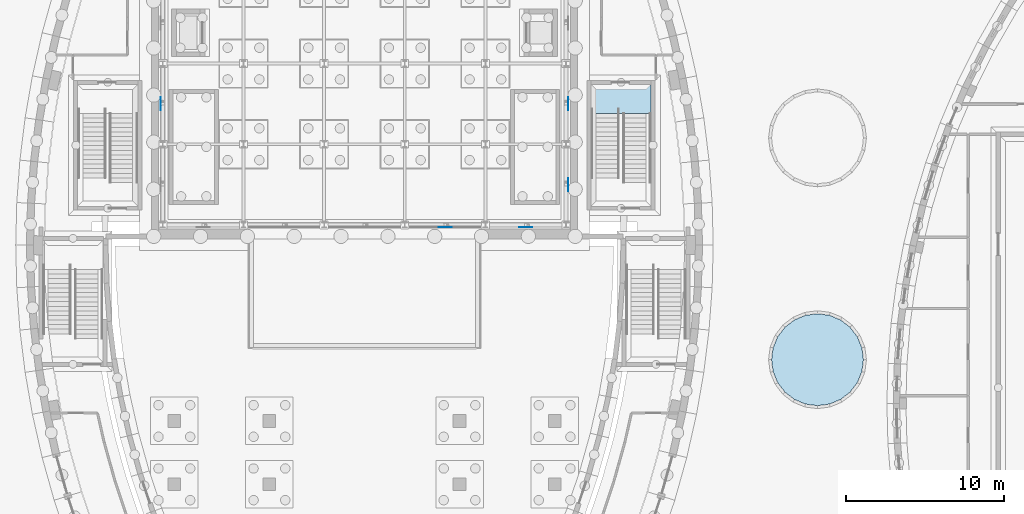
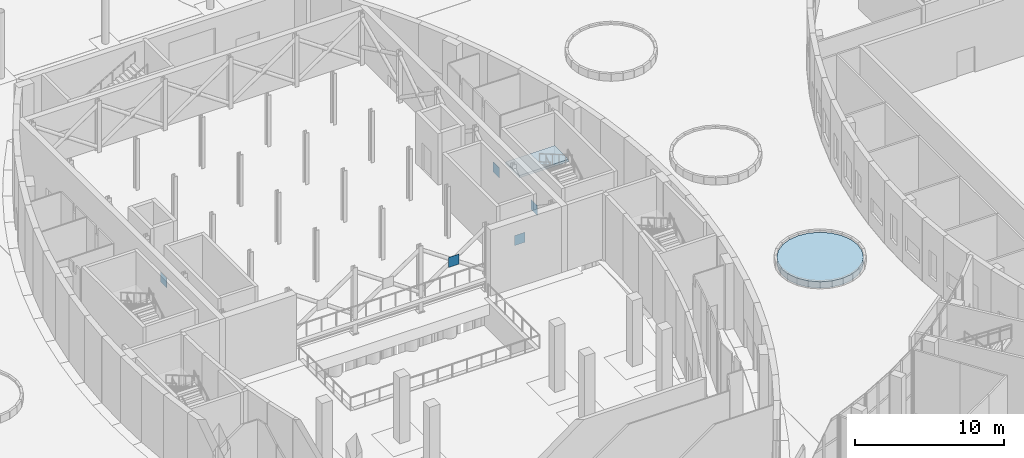
# One storey, part 36 of 82: 5 plates, 2 slabs, 1 element without a shape of its own.
"""IFC4 building model written with IfcOpenShell, lengths in metres."""

from ifc_helpers import new_model, si_unit, direction, frame, origin, origin_2d, place, context, subcontext, project, spatial, polyline, rectangle, outline, extrude, material, layer, layer_set, type_object, element, aggregate, save


model = new_model("IFC4")

# Units and contexts
model_context = context("Model", 3, precision=1e-05, world=origin(), true_north=direction((0.0, 1.0)))
body_context = subcontext(model_context, "Body", "Model", "MODEL_VIEW")
ifc_project = project(units=[si_unit("LENGTHUNIT", "METRE"), si_unit("AREAUNIT", "SQUARE_METRE"), si_unit("VOLUMEUNIT", "CUBIC_METRE"), si_unit("PLANEANGLEUNIT", "RADIAN"), si_unit("MASSUNIT", "GRAM", prefix="KILO")], contexts=[model_context])

# Site, building, storey
site_placement = place(None, origin())
site = spatial("IfcSite", under=ifc_project, at=site_placement, CompositionType="ELEMENT")
building_placement = place(site_placement, origin())
building = spatial("IfcBuilding", under=site, at=building_placement, Name="Tide Square Theatres", CompositionType="ELEMENT")
storey_placement = place(building_placement, origin())
storey = spatial("IfcBuildingStorey", under=building, at=storey_placement, Name="L00", CompositionType="ELEMENT", Elevation=0.0)

# Slab
ifc_material_1 = material(Name="Topsoil on drainage layer")
ifc_layer_1 = layer(ifc_material_1, 0.5)
ifc_layer_set_1 = layer_set([ifc_layer_1], Name="Topsoil on drainage layer")
slab_type_1 = type_object("IfcSlabType", Name="Planting bed 500", PredefinedType="USERDEFINED", material=ifc_layer_set_1)
slab_1_placement = place(storey_placement, frame((0.0, 0.0, -0.050048828125)))
element("IfcSlab", 1, at=slab_1_placement, inside=storey, type_object=slab_type_1, Name="Planting bed", ObjectType="PLANTING BED", PredefinedType="USERDEFINED", context=body_context, shape_type="SweptSolid", body=[
    extrude(outline(polyline([(115.393310546875, 48.51708984375), (115.103515625, 49.21630859375), (114.642822265625, 49.81689453125), (114.04248046875, 50.277587890625), (113.34326171875, 50.567138671875), (112.593017578125, 50.666015625), (111.842529296875, 50.567138671875), (111.143310546875, 50.277587890625), (110.54296875, 49.81689453125), (110.082275390625, 49.21630859375), (109.79248046875, 48.51708984375), (109.69384765625, 47.766845703125), (109.79248046875, 47.016357421875), (110.082275390625, 46.317138671875), (110.54296875, 45.716796875), (111.143310546875, 45.256103515625), (111.842529296875, 44.96630859375), (112.593017578125, 44.86767578125), (113.34326171875, 44.96630859375), (114.04248046875, 45.256103515625), (114.642822265625, 45.716796875), (115.103515625, 46.317138671875), (115.393310546875, 47.016357421875), (115.491943359375, 47.766845703125), (115.393310546875, 48.51708984375)])), origin(), (0.0, 0.0, 1.0), 0.5),
])

# Stair, slab
ifc_material_2 = material(Name="Concrete C35", Category="concrete")
stair_type = type_object("IfcStairType", Name="Stair half turn 1800 wide, 32 risers, rise 5400", PredefinedType="HALF_TURN_STAIR", material=ifc_material_2)
stair_placement = place(storey_placement, origin())
stair = element("IfcStair", 2, at=stair_placement, inside=storey, type_object=stair_type, Name="Main Theatre East Stair", PredefinedType="HALF_TURN_STAIR")
ifc_material_3 = material(Name="Concrete C35", Category="concrete")
ifc_layer_2 = layer(ifc_material_3, 0.199951171875)
ifc_layer_set_2 = layer_set([ifc_layer_2], Name="Concrete C35")
slab_type_2 = type_object("IfcSlabType", Name="RC landing slab 200", PredefinedType="LANDING", material=ifc_layer_set_2)
slab_2_placement = place(storey_placement, frame((0.0, 0.0, 2.5)))
slab_2 = element("IfcSlab", 3, at=slab_2_placement, type_object=slab_type_2, Name="ST-1800-5400 landing 1", PredefinedType="LANDING", context=body_context, shape_type="SweptSolid", body=[
    extrude(outline(polyline([(102.10009765625, 63.300048828125), (102.10009765625, 65.14990234375), (98.300048828125, 65.14990234375), (98.300048828125, 63.300048828125), (102.10009765625, 63.300048828125)])), origin(), (0.0, 0.0, 1.0), 0.199951171875),
])
aggregate(stair, [slab_2])

# Plates
ifc_material_4 = material(Name="Steel ASTM A572 Grade 50", Category="steel")
ifc_layer_3 = layer(ifc_material_4, 0.010009765625)
ifc_layer_set_3 = layer_set([ifc_layer_3], Name="Steel ASTM A572 Grade 50")
plate_type = type_object("IfcPlateType", Name="Steel end plate 10 thick", PredefinedType="USERDEFINED", material=ifc_layer_set_3)
for number, where, z_axis, x_axis, name in (
    (4, (89.089599609375, 56.136474609375, 2.890625), (0.0, 0.0, 1.0), (0.0, -1.0, 0.0), "Fly tower brace crossing node plate"),
    (5, (94.17919921875, 56.136474609375, 2.890625), (0.0, 0.0, 1.0), (0.0, -1.0, 0.0), "Fly tower brace crossing node plate"),
    (6, (71.136474609375, 63.910400390625, 2.890625), (0.0, 0.0, 1.0), (-1.0, 0.0, 0.0), "Fly tower brace crossing node plate"),
    (7, (96.863525390625, 58.82080078125, 2.890625), (0.0, 0.0, 1.0), (1.0, 0.0, 0.0), "Fly tower brace crossing node plate"),
    (8, (96.863525390625, 63.910400390625, 2.890625), (0.0, 0.0, 1.0), (1.0, 0.0, 0.0), "Fly tower brace crossing node plate"),
):
    element("IfcPlate", number, at=place(storey_placement, frame(where, z_axis=z_axis, x_axis=x_axis)), inside=storey, type_object=plate_type, Name=name, ObjectType="END PLATE", PredefinedType="USERDEFINED", context=body_context, shape_type="SweptSolid", body=[
        extrude(rectangle(XDim=0.010009765625, YDim=0.819091796875, at=origin_2d()), origin(), (0.0, 0.0, 1.0), 0.819091796875),
    ])

save(model, "model.ifc")
